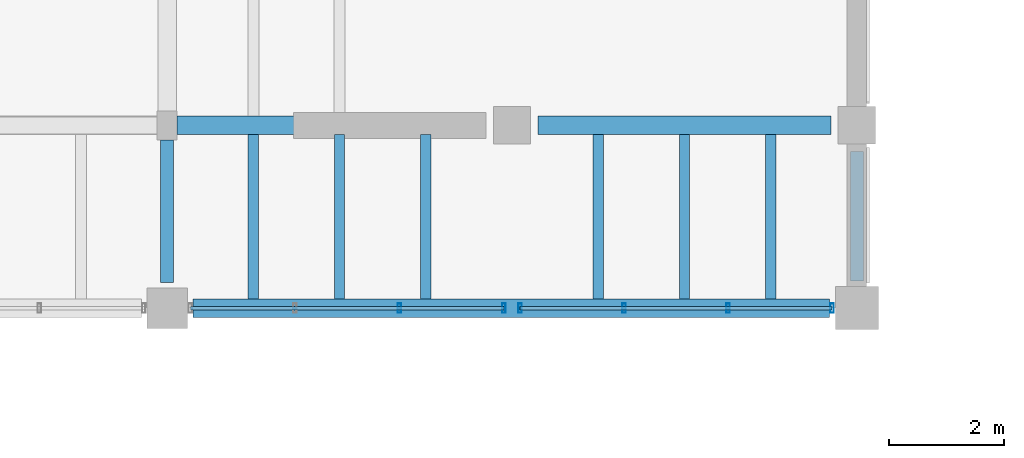
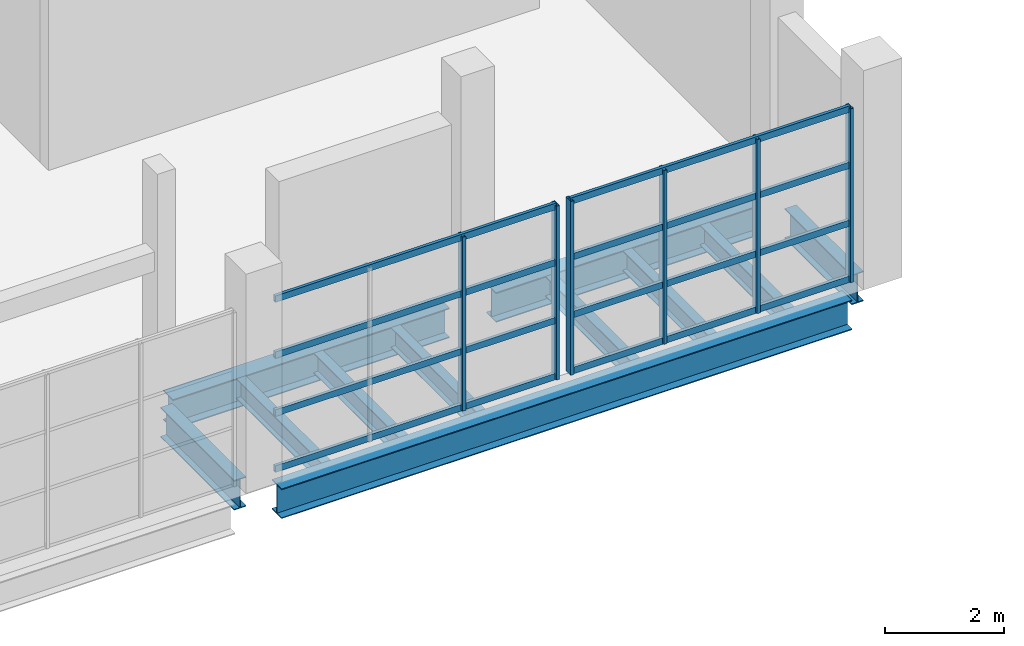
# One storey, part 22 of 63: 14 members, 11 beams, 2 elements without a shape of their own.
"""IFC4 building model written with IfcOpenShell, lengths in metres."""

from ifc_helpers import new_model, si_unit, direction, frame, origin, origin_2d, place, context, subcontext, project, spatial, hollow_rectangle, i_section, extrude, material, material_profile, profile_set, type_object, element, aggregate, save


model = new_model("IFC4")

# Units and contexts
model_context = context("Model", 3, precision=1e-05, world=origin(), true_north=direction((0.0, 1.0)))
body_context = subcontext(model_context, "Body", "Model", "MODEL_VIEW")
ifc_project = project(units=[si_unit("LENGTHUNIT", "METRE"), si_unit("AREAUNIT", "SQUARE_METRE"), si_unit("VOLUMEUNIT", "CUBIC_METRE"), si_unit("PLANEANGLEUNIT", "RADIAN"), si_unit("MASSUNIT", "GRAM", prefix="KILO")], contexts=[model_context])

# Site, building, storey
site_placement = place(None, origin())
site = spatial("IfcSite", under=ifc_project, at=site_placement, CompositionType="ELEMENT")
building_placement = place(site_placement, origin())
building = spatial("IfcBuilding", under=site, at=building_placement, Name="Kelmvaro Bay Concert Hall", CompositionType="ELEMENT")
storey_placement = place(building_placement, frame((0.0, 0.0, 13.800048828125)))
storey = spatial("IfcBuildingStorey", under=building, at=storey_placement, Name="L03", CompositionType="ELEMENT", Elevation=13.800048828125)

# Beams
ifc_material_1 = material(Name="Steel ASTM A992 Grade 50", Category="steel")
ifc_material_profile_1 = material_profile(ifc_material_1, i_section(OverallWidth=0.323974609375, OverallDepth=0.611083984375, WebThickness=0.0126953125, FlangeThickness=0.01904296875, at=origin_2d()), Name="W24X104")
ifc_profile_set_1 = profile_set([ifc_material_profile_1], Name="Steel ASTM A992 Grade 50")
beam_type_1 = type_object("IfcBeamType", Name="Foyer Frame Girder W24x104", PredefinedType="BEAM", material=ifc_profile_set_1)
beam_1_placement = place(storey_placement, frame((48.449951171875, 65.39990234375, -0.60546875), z_axis=(1.0, 0.0, 0.0), x_axis=(0.0, 1.0, 0.0)))
element("IfcBeam", 1, at=beam_1_placement, inside=storey, type_object=beam_type_1, Name="L03 Girder BM-L03-EW-1374", PredefinedType="BEAM", context=body_context, shape_type="SweptSolid", body=[
    extrude(i_section(OverallWidth=0.323974609375, OverallDepth=0.611083984375, WebThickness=0.0126953125, FlangeThickness=0.01904296875, at=origin_2d()), origin(), (0.0, 0.0, 1.0), 11.074951171875),
])
beam_2_placement = place(storey_placement, frame((48.175048828125, 68.580078125, -0.60546875), z_axis=(1.0, 0.0, 0.0), x_axis=(0.0, 1.0, 0.0)))
element("IfcBeam", 2, at=beam_2_placement, inside=storey, type_object=beam_type_1, Name="L03 Girder BM-L03-EW-1381", PredefinedType="BEAM", context=body_context, shape_type="SweptSolid", body=[
    extrude(i_section(OverallWidth=0.323974609375, OverallDepth=0.611083984375, WebThickness=0.0126953125, FlangeThickness=0.01904296875, at=origin_2d()), origin(), (0.0, 0.0, 1.0), 5.375),
])
beam_3_placement = place(storey_placement, frame((54.449951171875, 68.580078125, -0.60546875), z_axis=(1.0, 0.0, 0.0), x_axis=(0.0, 1.0, 0.0)))
element("IfcBeam", 3, at=beam_3_placement, inside=storey, type_object=beam_type_1, Name="L03 Girder BM-L03-EW-1382", PredefinedType="BEAM", context=body_context, shape_type="SweptSolid", body=[
    extrude(i_section(OverallWidth=0.323974609375, OverallDepth=0.611083984375, WebThickness=0.0126953125, FlangeThickness=0.01904296875, at=origin_2d()), origin(), (0.0, 0.0, 1.0), 5.10009765625),
])

# Curtain wall, members
ifc_material_2 = material(Name="Anodised Aluminium and Low-E Insulated Glazing", Category="aluminium")
curtain_wall_type = type_object("IfcCurtainWallType", Name="Symphony South Gallery Curtain Wall 3920", PredefinedType="USERDEFINED", material=ifc_material_2)
curtain_wall_1_placement = place(storey_placement, origin())
curtain_wall_1 = element("IfcCurtainWall", 4, at=curtain_wall_1_placement, inside=storey, type_object=curtain_wall_type, Name="Unitised Curtain Wall CW-L03-028", ObjectType="UNITISED GLAZING", PredefinedType="USERDEFINED")
ifc_material_3 = material(Name="Anodised Extruded Aluminium 6063-T6", Category="aluminium")
ifc_material_profile_2 = material_profile(ifc_material_3, hollow_rectangle(XDim=0.06005859375, YDim=0.1650390625, WallThickness=0.00390625, at=origin_2d()), Name="ALU-MUL-165X60")
ifc_profile_set_2 = profile_set([ifc_material_profile_2], Name="Anodised Extruded Aluminium 6063-T6")
member_type_1 = type_object("IfcMemberType", Name="Gallery Mullion ALU 165x60", PredefinedType="MULLION", material=ifc_profile_set_2)
member_1_placement = place(storey_placement, frame((53.860107421875, 65.39990234375, 0.0), z_axis=(0.0, 0.0, 1.0), x_axis=(1.0, 0.0, 0.0)))
member_1 = element("IfcMember", 5, at=member_1_placement, type_object=member_type_1, Name="CW-L03-028 Mullion 01", PredefinedType="MULLION", context=body_context, shape_type="SweptSolid", body=[
    extrude(hollow_rectangle(XDim=0.06005859375, YDim=0.1650390625, WallThickness=0.00390625, at=origin_2d()), origin(), (0.0, 0.0, 1.0), 3.56884765625),
])
member_2_placement = place(storey_placement, frame((52.041748046875, 65.39990234375, 0.0), z_axis=(0.0, 0.0, 1.0), x_axis=(1.0, 0.0, 0.0)))
member_2 = element("IfcMember", 6, at=member_2_placement, type_object=member_type_1, Name="CW-L03-028 Mullion 02", PredefinedType="MULLION", context=body_context, shape_type="SweptSolid", body=[
    extrude(hollow_rectangle(XDim=0.06005859375, YDim=0.1650390625, WallThickness=0.00390625, at=origin_2d()), origin(), (0.0, 0.0, 1.0), 3.56884765625),
])

curtain_wall_2_placement = place(storey_placement, origin())
curtain_wall_2 = element("IfcCurtainWall", 7, at=curtain_wall_2_placement, inside=storey, type_object=curtain_wall_type, Name="Unitised Curtain Wall CW-L03-029", ObjectType="UNITISED GLAZING", PredefinedType="USERDEFINED")
member_3_placement = place(storey_placement, frame((59.570068359375, 65.39990234375, 0.0), z_axis=(0.0, 0.0, 1.0), x_axis=(1.0, 0.0, 0.0)))
member_3 = element("IfcMember", 8, at=member_3_placement, type_object=member_type_1, Name="CW-L03-029 Mullion 01", PredefinedType="MULLION", context=body_context, shape_type="SweptSolid", body=[
    extrude(hollow_rectangle(XDim=0.06005859375, YDim=0.1650390625, WallThickness=0.00390625, at=origin_2d()), origin(), (0.0, 0.0, 1.0), 3.56884765625),
])
member_4_placement = place(storey_placement, frame((57.760009765625, 65.39990234375, 0.0), z_axis=(0.0, 0.0, 1.0), x_axis=(1.0, 0.0, 0.0)))
member_4 = element("IfcMember", 9, at=member_4_placement, type_object=member_type_1, Name="CW-L03-029 Mullion 02", PredefinedType="MULLION", context=body_context, shape_type="SweptSolid", body=[
    extrude(hollow_rectangle(XDim=0.06005859375, YDim=0.1650390625, WallThickness=0.00390625, at=origin_2d()), origin(), (0.0, 0.0, 1.0), 3.56884765625),
])
member_5_placement = place(storey_placement, frame((55.949951171875, 65.39990234375, 0.0), z_axis=(0.0, 0.0, 1.0), x_axis=(1.0, 0.0, 0.0)))
member_5 = element("IfcMember", 10, at=member_5_placement, type_object=member_type_1, Name="CW-L03-029 Mullion 03", PredefinedType="MULLION", context=body_context, shape_type="SweptSolid", body=[
    extrude(hollow_rectangle(XDim=0.06005859375, YDim=0.1650390625, WallThickness=0.00390625, at=origin_2d()), origin(), (0.0, 0.0, 1.0), 3.56884765625),
])
member_6_placement = place(storey_placement, frame((54.139892578125, 65.39990234375, 0.0), z_axis=(0.0, 0.0, 1.0), x_axis=(1.0, 0.0, 0.0)))
member_6 = element("IfcMember", 11, at=member_6_placement, type_object=member_type_1, Name="CW-L03-029 Mullion 04", PredefinedType="MULLION", context=body_context, shape_type="SweptSolid", body=[
    extrude(hollow_rectangle(XDim=0.06005859375, YDim=0.1650390625, WallThickness=0.00390625, at=origin_2d()), origin(), (0.0, 0.0, 1.0), 3.56884765625),
])

# Member
ifc_material_4 = material(Name="Anodised Extruded Aluminium 6063-T6", Category="aluminium")
ifc_material_profile_3 = material_profile(ifc_material_4, hollow_rectangle(XDim=0.06005859375, YDim=0.135009765625, WallThickness=0.00390625, at=origin_2d()), Name="ALU-TRN-135X60")
ifc_profile_set_3 = profile_set([ifc_material_profile_3], Name="Anodised Extruded Aluminium 6063-T6")
member_type_2 = type_object("IfcMemberType", Name="Gallery Transom ALU 135x60", PredefinedType="USERDEFINED", material=ifc_profile_set_3)
member_7_placement = place(storey_placement, frame((53.860107421875, 65.39990234375, 0.0400390625), z_axis=(-1.0, 0.0, 0.0), x_axis=(0.0, -1.0, 0.0)))
member_7 = element("IfcMember", 12, at=member_7_placement, type_object=member_type_2, Name="CW-L03-028 Transom 01", ObjectType="TRANSOM", PredefinedType="USERDEFINED", context=body_context, shape_type="SweptSolid", body=[
    extrude(hollow_rectangle(XDim=0.06005859375, YDim=0.135009765625, WallThickness=0.00390625, at=origin_2d()), origin(), (0.0, 0.0, 1.0), 5.455078125),
])

member_8_placement = place(storey_placement, frame((53.860107421875, 65.39990234375, 1.189697265625), z_axis=(-1.0, 0.0, 0.0), x_axis=(0.0, -1.0, 0.0)))
member_8 = element("IfcMember", 13, at=member_8_placement, type_object=member_type_2, Name="CW-L03-028 Transom 02", ObjectType="TRANSOM", PredefinedType="USERDEFINED", context=body_context, shape_type="SweptSolid", body=[
    extrude(hollow_rectangle(XDim=0.06005859375, YDim=0.135009765625, WallThickness=0.00390625, at=origin_2d()), origin(), (0.0, 0.0, 1.0), 5.455078125),
])

member_9_placement = place(storey_placement, frame((53.860107421875, 65.39990234375, 2.379150390625), z_axis=(-1.0, 0.0, 0.0), x_axis=(0.0, -1.0, 0.0)))
member_9 = element("IfcMember", 14, at=member_9_placement, type_object=member_type_2, Name="CW-L03-028 Transom 03", ObjectType="TRANSOM", PredefinedType="USERDEFINED", context=body_context, shape_type="SweptSolid", body=[
    extrude(hollow_rectangle(XDim=0.06005859375, YDim=0.135009765625, WallThickness=0.00390625, at=origin_2d()), origin(), (0.0, 0.0, 1.0), 5.455078125),
])

member_10_placement = place(storey_placement, frame((53.860107421875, 65.39990234375, 3.529052734375), z_axis=(-1.0, 0.0, 0.0), x_axis=(0.0, -1.0, 0.0)))
member_10 = element("IfcMember", 15, at=member_10_placement, type_object=member_type_2, Name="CW-L03-028 Transom 04", ObjectType="TRANSOM", PredefinedType="USERDEFINED", context=body_context, shape_type="SweptSolid", body=[
    extrude(hollow_rectangle(XDim=0.06005859375, YDim=0.135009765625, WallThickness=0.00390625, at=origin_2d()), origin(), (0.0, 0.0, 1.0), 5.455078125),
])

aggregate(curtain_wall_1, [member_1, member_2, member_7, member_8, member_9, member_10])

member_11_placement = place(storey_placement, frame((59.570068359375, 65.39990234375, 0.0400390625), z_axis=(-1.0, 0.0, 0.0), x_axis=(0.0, -1.0, 0.0)))
member_11 = element("IfcMember", 16, at=member_11_placement, type_object=member_type_2, Name="CW-L03-029 Transom 01", ObjectType="TRANSOM", PredefinedType="USERDEFINED", context=body_context, shape_type="SweptSolid", body=[
    extrude(hollow_rectangle(XDim=0.06005859375, YDim=0.135009765625, WallThickness=0.00390625, at=origin_2d()), origin(), (0.0, 0.0, 1.0), 5.43017578125),
])

member_12_placement = place(storey_placement, frame((59.570068359375, 65.39990234375, 1.189697265625), z_axis=(-1.0, 0.0, 0.0), x_axis=(0.0, -1.0, 0.0)))
member_12 = element("IfcMember", 17, at=member_12_placement, type_object=member_type_2, Name="CW-L03-029 Transom 02", ObjectType="TRANSOM", PredefinedType="USERDEFINED", context=body_context, shape_type="SweptSolid", body=[
    extrude(hollow_rectangle(XDim=0.06005859375, YDim=0.135009765625, WallThickness=0.00390625, at=origin_2d()), origin(), (0.0, 0.0, 1.0), 5.43017578125),
])

member_13_placement = place(storey_placement, frame((59.570068359375, 65.39990234375, 2.379150390625), z_axis=(-1.0, 0.0, 0.0), x_axis=(0.0, -1.0, 0.0)))
member_13 = element("IfcMember", 18, at=member_13_placement, type_object=member_type_2, Name="CW-L03-029 Transom 03", ObjectType="TRANSOM", PredefinedType="USERDEFINED", context=body_context, shape_type="SweptSolid", body=[
    extrude(hollow_rectangle(XDim=0.06005859375, YDim=0.135009765625, WallThickness=0.00390625, at=origin_2d()), origin(), (0.0, 0.0, 1.0), 5.43017578125),
])

member_14_placement = place(storey_placement, frame((59.570068359375, 65.39990234375, 3.529052734375), z_axis=(-1.0, 0.0, 0.0), x_axis=(0.0, -1.0, 0.0)))
member_14 = element("IfcMember", 19, at=member_14_placement, type_object=member_type_2, Name="CW-L03-029 Transom 04", ObjectType="TRANSOM", PredefinedType="USERDEFINED", context=body_context, shape_type="SweptSolid", body=[
    extrude(hollow_rectangle(XDim=0.06005859375, YDim=0.135009765625, WallThickness=0.00390625, at=origin_2d()), origin(), (0.0, 0.0, 1.0), 5.43017578125),
])

aggregate(curtain_wall_2, [member_3, member_4, member_5, member_6, member_11, member_12, member_13, member_14])

# Beams
ifc_material_5 = material(Name="Steel ASTM A992 Grade 50", Category="steel")
ifc_material_profile_4 = material_profile(ifc_material_5, i_section(OverallWidth=0.179931640625, OverallDepth=0.4140625, WebThickness=0.009765625, FlangeThickness=0.01611328125, at=origin_2d()), Name="W16X50")
ifc_profile_set_4 = profile_set([ifc_material_profile_4], Name="Steel ASTM A992 Grade 50")
beam_type_2 = type_object("IfcBeamType", Name="Terrace Composite Joist W16x50", PredefinedType="JOIST", material=ifc_profile_set_4)
for number, where, z_axis, x_axis, name in (
    (20, (49.5, 65.56201171875, -0.507080078125), (0.0, 1.0, 0.0), (-1.0, 0.0, 0.0), "L03 Floor Joist JST-L03-1615"),
    (21, (51.0, 65.56201171875, -0.507080078125), (0.0, 1.0, 0.0), (-1.0, 0.0, 0.0), "L03 Floor Joist JST-L03-1616"),
    (22, (52.5, 65.56201171875, -0.507080078125), (0.0, 1.0, 0.0), (-1.0, 0.0, 0.0), "L03 Floor Joist JST-L03-1617"),
    (23, (55.5, 65.56201171875, -0.507080078125), (0.0, 1.0, 0.0), (-1.0, 0.0, 0.0), "L03 Floor Joist JST-L03-1618"),
    (24, (57.0, 65.56201171875, -0.507080078125), (0.0, 1.0, 0.0), (-1.0, 0.0, 0.0), "L03 Floor Joist JST-L03-1619"),
    (25, (58.5, 65.56201171875, -0.507080078125), (0.0, 1.0, 0.0), (-1.0, 0.0, 0.0), "L03 Floor Joist JST-L03-1620"),
):
    element("IfcBeam", number, at=place(storey_placement, frame(where, z_axis=z_axis, x_axis=x_axis)), inside=storey, type_object=beam_type_2, Name=name, PredefinedType="JOIST", context=body_context, shape_type="SweptSolid", body=[
        extrude(i_section(OverallWidth=0.179931640625, OverallDepth=0.4140625, WebThickness=0.009765625, FlangeThickness=0.01611328125, at=origin_2d()), origin(), (0.0, 0.0, 1.0), 2.85595703125),
    ])
ifc_material_6 = material(Name="Steel ASTM A992 Grade 50", Category="steel")
ifc_material_profile_5 = material_profile(ifc_material_6, i_section(OverallWidth=0.22900390625, OverallDepth=0.612060546875, WebThickness=0.011962890625, FlangeThickness=0.01953125, at=origin_2d()), Name="W24X84")
ifc_profile_set_5 = profile_set([ifc_material_profile_5], Name="Steel ASTM A992 Grade 50")
beam_type_3 = type_object("IfcBeamType", Name="Terrace Edge Girder W24x84", PredefinedType="BEAM", material=ifc_profile_set_5)
beam_4_placement = place(storey_placement, frame((48.0, 65.85009765625, -0.60595703125), z_axis=(0.0, 1.0, 0.0), x_axis=(-1.0, 0.0, 0.0)))
element("IfcBeam", 26, at=beam_4_placement, inside=storey, type_object=beam_type_3, Name="L03 Girder BM-L03-NS-1431", PredefinedType="BEAM", context=body_context, shape_type="SweptSolid", body=[
    extrude(i_section(OverallWidth=0.22900390625, OverallDepth=0.612060546875, WebThickness=0.011962890625, FlangeThickness=0.01953125, at=origin_2d()), origin(), (0.0, 0.0, 1.0), 2.47998046875),
])
beam_5_placement = place(storey_placement, frame((60.0, 65.875, -0.60595703125), z_axis=(0.0, 1.0, 0.0), x_axis=(-1.0, 0.0, 0.0)))
element("IfcBeam", 27, at=beam_5_placement, inside=storey, type_object=beam_type_3, Name="L03 Girder BM-L03-NS-1439", PredefinedType="BEAM", context=body_context, shape_type="SweptSolid", body=[
    extrude(i_section(OverallWidth=0.22900390625, OverallDepth=0.612060546875, WebThickness=0.011962890625, FlangeThickness=0.01953125, at=origin_2d()), origin(), (0.0, 0.0, 1.0), 2.2548828125),
])

save(model, "model.ifc")
